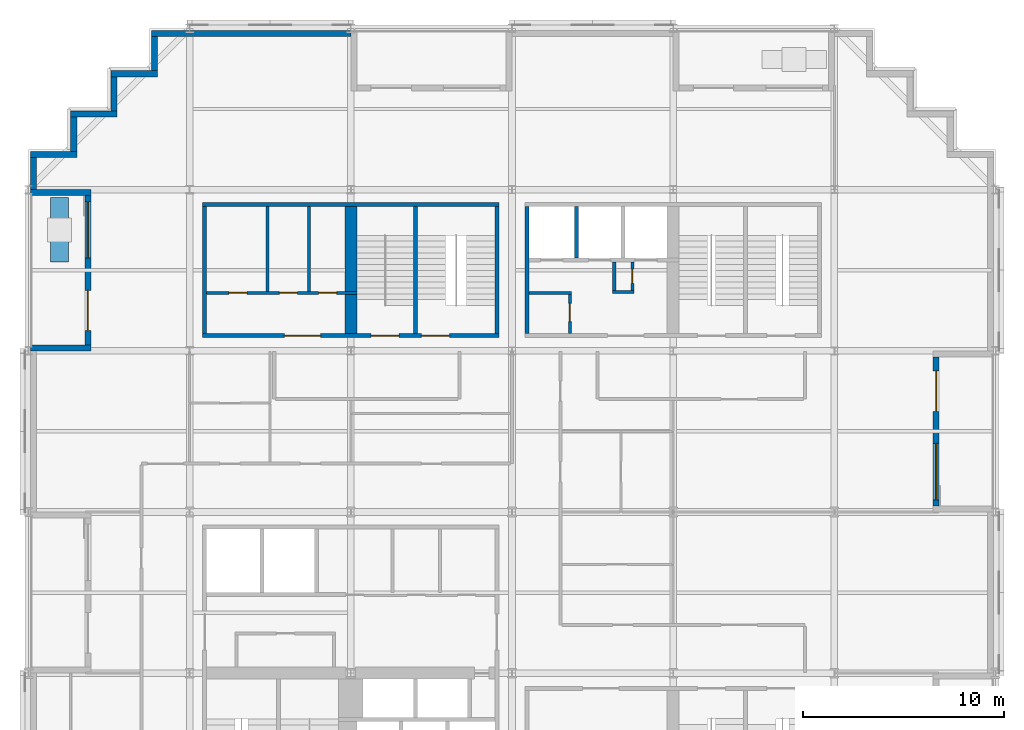
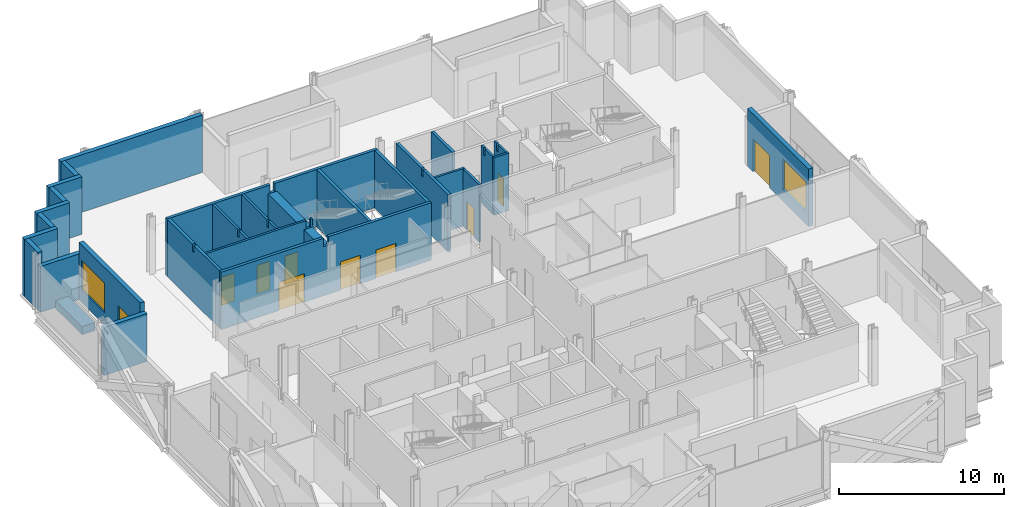
# One storey, part 8 of 13: 30 walls, 10 doors, 2 windows, 12 openings.
"""IFC4 building model written with IfcOpenShell, lengths in metres."""

from ifc_helpers import new_model, si_unit, direction, frame, frame_2d, origin, place, context, subcontext, project, spatial, polyline, rectangle, outline, extrude, material, layer, layer_set, type_object, element, fill, save


model = new_model("IFC4")

# Units and contexts
model_context = context("Model", 3, precision=1e-05, world=origin(), true_north=direction((0.0, 1.0)))
body_context = subcontext(model_context, "Body", "Model", "MODEL_VIEW")
ifc_project = project(units=[si_unit("LENGTHUNIT", "METRE"), si_unit("AREAUNIT", "SQUARE_METRE"), si_unit("VOLUMEUNIT", "CUBIC_METRE"), si_unit("PLANEANGLEUNIT", "RADIAN"), si_unit("MASSUNIT", "GRAM", prefix="KILO")], contexts=[model_context])

# Site, building, storey
site_placement = place(None, origin())
site = spatial("IfcSite", under=ifc_project, at=site_placement, CompositionType="ELEMENT")
building_placement = place(site_placement, origin())
building = spatial("IfcBuilding", under=site, at=building_placement, Name="Immortelle Media Tower", CompositionType="ELEMENT")
storey_placement = place(building_placement, frame((0.0, 0.0, 34.800048828125)))
storey = spatial("IfcBuildingStorey", under=building, at=storey_placement, Name="L04", CompositionType="ELEMENT", Elevation=34.800048828125)

# Wall, openings, doors
ifc_material_1 = material(Name="Fire-rated gypsum board", Category="gypsum")
ifc_layer_1 = layer(ifc_material_1, 0.02490234375)
ifc_material_2 = material(Name="Steel ASTM A653 SS Gr 50 stud frame with mineral wool", Category="steel")
ifc_layer_2 = layer(ifc_material_2, 0.10009765625)
ifc_layer_3 = layer(ifc_material_1, 0.02490234375)
ifc_layer_set_1 = layer_set([ifc_layer_1, ifc_layer_2, ifc_layer_3], Name="Steel ASTM A653 SS Gr 50 stud frame with mineral wool")
wall_type_1 = type_object("IfcWallType", Name="Core partition 150", PredefinedType="PARTITIONING", material=ifc_layer_set_1)
wall_1_placement = place(storey_placement, frame((8.85009765625, 34.875, 0.0), z_axis=(0.0, 0.0, 1.0), x_axis=(1.0, 0.0, 0.0)))
wall_1 = element("IfcWall", 1, at=wall_1_placement, inside=storey, type_object=wall_type_1, Name="Core partition NW", PredefinedType="PARTITIONING", context=body_context, shape_type="SweptSolid", body=[
    extrude(outline(polyline([(0.0, 0.0), (7.449951171875, 0.0), (7.449951171875, 4.25), (7.31689453125, 4.25), (7.31591796875, 3.6318359375), (6.98388671875, 3.6318359375), (6.98291015625, 4.25), (0.0, 4.25), (0.0, 0.0)])), frame((0.0, 0.074951171875, 0.0), z_axis=(0.0, -1.0, 0.0), x_axis=(1.0, 0.0, 0.0)), (0.0, 0.0, 1.0), 0.14990234375),
])
opening_1_placement = place(wall_1_placement, frame((1.10009765625, 0.0, 0.0)))
opening_1 = element("IfcOpeningElement", 2, at=opening_1_placement, cuts=wall_1, Name="Opening N1-K021", PredefinedType="OPENING", context=body_context, shape_type="SweptSolid", body=[
    extrude(rectangle(XDim=0.89990234375, YDim=2.10009765625, at=frame_2d((0.449951171875, 1.050048828125))), frame((0.0, 0.0849609375, 0.0), z_axis=(0.0, -1.0, 0.0), x_axis=(1.0, 0.0, 0.0)), (0.0, 0.0, 1.0), 0.169921875),
])
opening_2_placement = place(wall_1_placement, frame((3.60009765625, 0.0, 0.0)))
opening_2 = element("IfcOpeningElement", 3, at=opening_2_placement, cuts=wall_1, Name="Opening N1-K022", PredefinedType="OPENING", context=body_context, shape_type="SweptSolid", body=[
    extrude(rectangle(XDim=0.89990234375, YDim=2.10009765625, at=frame_2d((0.449951171875, 1.050048828125))), frame((0.0, 0.0849609375, 0.0), z_axis=(0.0, -1.0, 0.0), x_axis=(1.0, 0.0, 0.0)), (0.0, 0.0, 1.0), 0.169921875),
])
opening_3_placement = place(wall_1_placement, frame((5.550048828125, 0.0, 0.0)))
opening_3 = element("IfcOpeningElement", 4, at=opening_3_placement, cuts=wall_1, Name="Opening N1-K024", PredefinedType="OPENING", context=body_context, shape_type="SweptSolid", body=[
    extrude(rectangle(XDim=0.89990234375, YDim=2.10009765625, at=frame_2d((0.449951171875, 1.050048828125))), frame((0.0, 0.0849609375, 0.0), z_axis=(0.0, -1.0, 0.0), x_axis=(1.0, 0.0, 0.0)), (0.0, 0.0, 1.0), 0.169921875),
])
ifc_material_3 = material(Name="Timber", Category="wood")
door_type_1 = type_object("IfcDoorType", Name="Room door 900 x 2100", OperationType="NOTDEFINED", PredefinedType="NOTDEFINED", material=ifc_material_3)
door_1_placement = place(opening_1_placement, origin())
door_1 = element("IfcDoor", 5, at=door_1_placement, inside=storey, type_object=door_type_1, Name="Room N1-K021", OperationType="SINGLE_SWING_RIGHT", OverallHeight=2.10009765625, OverallWidth=0.89990234375, PredefinedType="NOTDEFINED", context=body_context, shape_type="SweptSolid", body=[
    extrude(rectangle(XDim=0.89990234375, YDim=2.10009765625, at=frame_2d((0.449951171875, 1.050048828125))), frame((0.0, 0.02490234375, 0.0), z_axis=(0.0, -1.0, 0.0), x_axis=(1.0, 0.0, 0.0)), (0.0, 0.0, 1.0), 0.050048828125),
])
fill(opening_1, door_1)
door_2_placement = place(opening_2_placement, origin())
door_2 = element("IfcDoor", 6, at=door_2_placement, inside=storey, type_object=door_type_1, Name="Room N1-K022", OperationType="SINGLE_SWING_RIGHT", OverallHeight=2.10009765625, OverallWidth=0.89990234375, PredefinedType="NOTDEFINED", context=body_context, shape_type="SweptSolid", body=[
    extrude(rectangle(XDim=0.89990234375, YDim=2.10009765625, at=frame_2d((0.449951171875, 1.050048828125))), frame((0.0, 0.02490234375, 0.0), z_axis=(0.0, -1.0, 0.0), x_axis=(1.0, 0.0, 0.0)), (0.0, 0.0, 1.0), 0.050048828125),
])
fill(opening_2, door_2)
ifc_material_4 = material(Name="Galvanised steel door leaf and frame ASTM A653", Category="steel")
door_type_2 = type_object("IfcDoorType", Name="Service door 900 x 2100", OperationType="NOTDEFINED", PredefinedType="NOTDEFINED", material=ifc_material_4)
door_3_placement = place(opening_3_placement, origin())
door_3 = element("IfcDoor", 7, at=door_3_placement, inside=storey, type_object=door_type_2, Name="Service N1-K024", OperationType="SINGLE_SWING_LEFT", OverallHeight=2.10009765625, OverallWidth=0.89990234375, PredefinedType="NOTDEFINED", context=body_context, shape_type="SweptSolid", body=[
    extrude(rectangle(XDim=0.89990234375, YDim=2.10009765625, at=frame_2d((0.449951171875, 1.050048828125))), frame((0.0, 0.02490234375, 0.0), z_axis=(0.0, -1.0, 0.0), x_axis=(1.0, 0.0, 0.0)), (0.0, 0.0, 1.0), 0.050048828125),
])
fill(opening_3, door_3)

# Walls
for number, where, z_axis, x_axis, name in (
    (8, (11.875, 34.949951171875, 0.0), (0.0, 0.0, 1.0), (0.0, 1.0, 0.0), "Core partition NW"),
    (9, (13.925048828125, 34.949951171875, 0.0), (0.0, 0.0, 1.0), (0.0, 1.0, 0.0), "Core partition NW"),
):
    element("IfcWall", number, at=place(storey_placement, frame(where, z_axis=z_axis, x_axis=x_axis)), inside=storey, type_object=wall_type_1, Name=name, PredefinedType="PARTITIONING", context=body_context, shape_type="SweptSolid", body=[
        extrude(outline(polyline([(0.0, 0.0), (4.199951171875, 0.0), (4.199951171875, 4.25), (1.138427734375, 4.25), (1.137451171875, 3.7080078125), (0.96240234375, 3.7080078125), (0.96142578125, 4.25), (0.0, 4.25), (0.0, 0.0)])), frame((0.0, 0.074951171875, 0.0), z_axis=(0.0, -1.0, 0.0), x_axis=(1.0, 0.0, 0.0)), (0.0, 0.0, 1.0), 0.14990234375),
    ])
wall_2_placement = place(storey_placement, frame((24.85009765625, 34.875, 0.0), z_axis=(0.0, 0.0, 1.0), x_axis=(1.0, 0.0, 0.0)))
element("IfcWall", 10, at=wall_2_placement, inside=storey, type_object=wall_type_1, Name="Core partition NE", PredefinedType="PARTITIONING", context=body_context, shape_type="SweptSolid", body=[
    extrude(rectangle(XDim=2.099853515625, YDim=0.14990234375, at=frame_2d((1.0498046875, 0.0))), origin(), (0.0, 0.0, 1.0), 4.25),
])

# Wall, opening, door
wall_3_placement = place(storey_placement, frame((26.875, 32.85009765625, 0.0), z_axis=(0.0, 0.0, 1.0), x_axis=(0.0, 1.0, 0.0)))
wall_3 = element("IfcWall", 11, at=wall_3_placement, inside=storey, type_object=wall_type_1, Name="Core partition NE", PredefinedType="PARTITIONING", context=body_context, shape_type="SweptSolid", body=[
    extrude(rectangle(XDim=1.949951171875, YDim=0.14990234375, at=frame_2d((0.97509765625, 0.0))), origin(), (0.0, 0.0, 1.0), 4.25),
])
opening_4_placement = place(wall_3_placement, frame((0.60009765625, 0.0, 0.0)))
opening_4 = element("IfcOpeningElement", 12, at=opening_4_placement, cuts=wall_3, Name="Opening N1-K028", PredefinedType="OPENING", context=body_context, shape_type="SweptSolid", body=[
    extrude(rectangle(XDim=0.89990234375, YDim=2.10009765625, at=frame_2d((0.449951171875, 1.050048828125))), frame((0.0, 0.0849609375, 0.0), z_axis=(0.0, -1.0, 0.0), x_axis=(1.0, 0.0, 0.0)), (0.0, 0.0, 1.0), 0.169921875),
])
door_4_placement = place(opening_4_placement, origin())
door_4 = element("IfcDoor", 13, at=door_4_placement, inside=storey, type_object=door_type_2, Name="Service N1-K028", OperationType="SINGLE_SWING_LEFT", OverallHeight=2.10009765625, OverallWidth=0.89990234375, PredefinedType="NOTDEFINED", context=body_context, shape_type="SweptSolid", body=[
    extrude(rectangle(XDim=0.89990234375, YDim=2.10009765625, at=frame_2d((0.449951171875, 1.050048828125))), frame((0.0, 0.02490234375, 0.0), z_axis=(0.0, -1.0, 0.0), x_axis=(1.0, 0.0, 0.0)), (0.0, 0.0, 1.0), 0.050048828125),
])
fill(opening_4, door_4)

# Walls
wall_4_placement = place(storey_placement, frame((29.0, 34.925048828125, 0.0), z_axis=(0.0, 0.0, 1.0), x_axis=(1.0, 0.0, 0.0)))
element("IfcWall", 14, at=wall_4_placement, inside=storey, type_object=wall_type_1, Name="Core partition NE", PredefinedType="PARTITIONING", context=body_context, shape_type="SweptSolid", body=[
    extrude(rectangle(XDim=1.050048828125, YDim=0.14990234375, at=frame_2d((0.52490234375, 0.0))), origin(), (0.0, 0.0, 1.0), 4.25),
])
wall_5_placement = place(storey_placement, frame((29.074951171875, 35.0, 0.0), z_axis=(0.0, 0.0, 1.0), x_axis=(0.0, 1.0, 0.0)))
element("IfcWall", 15, at=wall_5_placement, inside=storey, type_object=wall_type_1, Name="Core partition NE", PredefinedType="PARTITIONING", context=body_context, shape_type="SweptSolid", body=[
    extrude(outline(polyline([(0.0, 0.0), (1.39990234375, 0.0), (1.39990234375, 4.25), (1.08837890625, 4.25), (1.08740234375, 3.7080078125), (0.91259765625, 3.7080078125), (0.91162109375, 4.25), (0.0, 4.25), (0.0, 0.0)])), frame((0.0, 0.074951171875, 0.0), z_axis=(0.0, -1.0, 0.0), x_axis=(1.0, 0.0, 0.0)), (0.0, 0.0, 1.0), 0.14990234375),
])

# Wall, opening, door
wall_6_placement = place(storey_placement, frame((29.97509765625, 35.0, 0.0), z_axis=(0.0, 0.0, 1.0), x_axis=(0.0, 1.0, 0.0)))
wall_6 = element("IfcWall", 16, at=wall_6_placement, inside=storey, type_object=wall_type_1, Name="Core partition NE", PredefinedType="PARTITIONING", context=body_context, shape_type="SweptSolid", body=[
    extrude(outline(polyline([(0.0, 0.0), (1.39990234375, 0.0), (1.39990234375, 4.25), (1.08837890625, 4.25), (1.08740234375, 3.7080078125), (0.91259765625, 3.7080078125), (0.91162109375, 4.25), (0.0, 4.25), (0.0, 0.0)])), frame((0.0, 0.074951171875, 0.0), z_axis=(0.0, -1.0, 0.0), x_axis=(1.0, 0.0, 0.0)), (0.0, 0.0, 1.0), 0.14990234375),
])
opening_5_placement = place(wall_6_placement, frame((0.35009765625, 0.0, 0.0)))
opening_5 = element("IfcOpeningElement", 17, at=opening_5_placement, cuts=wall_6, Name="Opening N1-K031", PredefinedType="OPENING", context=body_context, shape_type="SweptSolid", body=[
    extrude(rectangle(XDim=0.699951171875, YDim=2.10009765625, at=frame_2d((0.35009765625, 1.050048828125))), frame((0.0, 0.0849609375, 0.0), z_axis=(0.0, -1.0, 0.0), x_axis=(1.0, 0.0, 0.0)), (0.0, 0.0, 1.0), 0.169921875),
])
door_type_3 = type_object("IfcDoorType", Name="Service door 700 x 2100", OperationType="NOTDEFINED", PredefinedType="NOTDEFINED", material=ifc_material_4)
door_5_placement = place(opening_5_placement, origin())
door_5 = element("IfcDoor", 18, at=door_5_placement, inside=storey, type_object=door_type_3, Name="Service N1-K031", OperationType="SINGLE_SWING_LEFT", OverallHeight=2.10009765625, OverallWidth=0.699951171875, PredefinedType="NOTDEFINED", context=body_context, shape_type="SweptSolid", body=[
    extrude(rectangle(XDim=0.699951171875, YDim=2.10009765625, at=frame_2d((0.35009765625, 1.050048828125))), frame((0.0, 0.02490234375, 0.0), z_axis=(0.0, -1.0, 0.0), x_axis=(1.0, 0.0, 0.0)), (0.0, 0.0, 1.0), 0.050048828125),
])
fill(opening_5, door_5)

# Walls
ifc_layer_4 = layer(ifc_material_1, 0.03759765625)
ifc_layer_5 = layer(ifc_material_2, 0.125)
ifc_layer_6 = layer(ifc_material_1, 0.03759765625)
ifc_layer_set_2 = layer_set([ifc_layer_4, ifc_layer_5, ifc_layer_6], Name="Steel ASTM A653 SS Gr 50 stud frame with mineral wool")
wall_type_2 = type_object("IfcWallType", Name="Core shaft wall 200", PredefinedType="PARTITIONING", material=ifc_layer_set_2)
for number, where, z_axis, x_axis, name in (
    (19, (8.75, 32.85009765625, 0.0), (0.0, 0.0, 1.0), (0.0, 1.0, 0.0), "Core shaft wall NW"),
    (20, (24.75, 32.85009765625, 0.0), (0.0, 0.0, 1.0), (0.0, 1.0, 0.0), "Core shaft wall NE"),
):
    element("IfcWall", number, at=place(storey_placement, frame(where, z_axis=z_axis, x_axis=x_axis)), inside=storey, type_object=wall_type_2, Name=name, PredefinedType="PARTITIONING", context=body_context, shape_type="SweptSolid", body=[
        extrude(outline(polyline([(0.0, 0.0), (6.2998046875, 0.0), (6.300048828125, 4.25), (3.238525390625, 4.25), (3.237548828125, 3.7080078125), (3.0625, 3.7080078125), (3.0615234375, 4.25), (0.0, 4.25), (0.0, 0.0)])), frame((0.0, 0.10009765625, 0.0), z_axis=(0.0, -1.0, 0.0), x_axis=(1.0, 0.0, 0.0)), (0.0, 0.0, 1.0), 0.199951171875),
    ])
wall_7_placement = place(storey_placement, frame((27.199951171875, 36.60009765625, 0.0), z_axis=(0.0, 0.0, 1.0), x_axis=(0.0, 1.0, 0.0)))
element("IfcWall", 21, at=wall_7_placement, inside=storey, type_object=wall_type_2, Name="Core shaft wall NE", PredefinedType="PARTITIONING", context=body_context, shape_type="SweptSolid", body=[
    extrude(rectangle(XDim=2.5498046875, YDim=0.199951171875, at=frame_2d((1.27490234375, 0.0))), origin(), (0.0, 0.0, 1.0), 4.25),
])
ifc_material_5 = material(Name="Pale aluminium cladding panel", Category="aluminium")
ifc_layer_7 = layer(ifc_material_5, 0.030029296875)
ifc_layer_8 = layer(ifc_material_2, 0.257568359375)
ifc_material_6 = material(Name="Moisture-resistant gypsum board", Category="gypsum")
ifc_layer_9 = layer(ifc_material_6, 0.012451171875)
ifc_layer_set_3 = layer_set([ifc_layer_7, ifc_layer_8, ifc_layer_9], Name="Steel ASTM A653 SS Gr 50 stud frame with mineral wool")
wall_type_3 = type_object("IfcWallType", Name="Facade wall 300", PredefinedType="SOLIDWALL", material=ifc_layer_set_3)
wall_8_placement = place(storey_placement, frame((0.25, 41.60009765625, 0.0), z_axis=(0.0, 0.0, 1.0), x_axis=(0.0, -1.0, 0.0)))
element("IfcWall", 22, at=wall_8_placement, inside=storey, type_object=wall_type_3, Name="Facade wall L04 W0", PredefinedType="SOLIDWALL", context=body_context, shape_type="SweptSolid", body=[
    extrude(rectangle(XDim=1.60009765625, YDim=0.300048828125, at=frame_2d((0.800048828125, 0.0))), origin(), (0.0, 0.0, 1.0), 4.25),
])

# Wall, openings, door, window
wall_9_placement = place(storey_placement, frame((2.949951171875, 39.699951171875, 0.0), z_axis=(0.0, 0.0, 1.0), x_axis=(0.0, -1.0, 0.0)))
wall_9 = element("IfcWall", 23, at=wall_9_placement, inside=storey, type_object=wall_type_3, Name="Loggia wall L04 W0", PredefinedType="SOLIDWALL", context=body_context, shape_type="SweptSolid", body=[
    extrude(rectangle(XDim=7.39990234375, YDim=0.300048828125, at=frame_2d((3.699951171875, 0.0))), origin(), (0.0, 0.0, 1.0), 4.25),
])
opening_6_placement = place(wall_9_placement, frame((0.300048828125, 0.0, 0.89990234375)))
opening_6 = element("IfcOpeningElement", 24, at=opening_6_placement, cuts=wall_9, Name="Opening W1", PredefinedType="OPENING", context=body_context, shape_type="SweptSolid", body=[
    extrude(rectangle(XDim=2.800048828125, YDim=2.199951171875, at=frame_2d((1.39990234375, 1.10009765625))), frame((0.0, 0.159912109375, 0.0), z_axis=(0.0, -1.0, 0.0), x_axis=(1.0, 0.0, 0.0)), (0.0, 0.0, 1.0), 0.320068359375),
])
opening_7_placement = place(wall_9_placement, frame((4.699951171875, 0.0, 0.0)))
opening_7 = element("IfcOpeningElement", 25, at=opening_7_placement, cuts=wall_9, Name="Opening N1-E001", PredefinedType="OPENING", context=body_context, shape_type="SweptSolid", body=[
    extrude(rectangle(XDim=2.0, YDim=2.39990234375, at=frame_2d((1.0, 1.199951171875))), frame((0.0, 0.159912109375, 0.0), z_axis=(0.0, -1.0, 0.0), x_axis=(1.0, 0.0, 0.0)), (0.0, 0.0, 1.0), 0.320068359375),
])
ifc_material_7 = material(Name="Aluminium frame, glazed leaves", Category="aluminium")
door_type_4 = type_object("IfcDoorType", Name="Loggia door 2000 x 2400", OperationType="DOUBLE_DOOR_SINGLE_SWING", PredefinedType="DOOR", material=ifc_material_7)
door_6_placement = place(opening_7_placement, origin())
door_6 = element("IfcDoor", 26, at=door_6_placement, inside=storey, type_object=door_type_4, Name="Door N1-E001", OperationType="DOUBLE_DOOR_SINGLE_SWING", OverallHeight=2.39990234375, OverallWidth=2.0, PredefinedType="DOOR", context=body_context, shape_type="SweptSolid", body=[
    extrude(rectangle(XDim=2.0, YDim=2.39990234375, at=frame_2d((1.0, 1.199951171875))), frame((0.0, 0.02490234375, 0.0), z_axis=(0.0, -1.0, 0.0), x_axis=(1.0, 0.0, 0.0)), (0.0, 0.0, 1.0), 0.050048828125),
])
fill(opening_7, door_6)
ifc_material_8 = material(Name="Aluminium frame", Category="aluminium")
window_type = type_object("IfcWindowType", Name="Window 2800 x 2200", PartitioningType="SINGLE_PANEL", PredefinedType="WINDOW", material=ifc_material_8)
window_1_placement = place(opening_6_placement, origin())
window_1 = element("IfcWindow", 27, at=window_1_placement, inside=storey, type_object=window_type, Name="Window L04 L04-R0-B0", OverallHeight=2.199951171875, OverallWidth=2.800048828125, PartitioningType="SINGLE_PANEL", PredefinedType="WINDOW", context=body_context, shape_type="SweptSolid", body=[
    extrude(rectangle(XDim=2.800048828125, YDim=2.199951171875, at=frame_2d((1.39990234375, 1.10009765625))), frame((0.0, 0.030029296875, 0.0), z_axis=(0.0, -1.0, 0.0), x_axis=(1.0, 0.0, 0.0)), (0.0, 0.0, 1.0), 0.06005859375),
])
fill(opening_6, window_1)

# Walls
wall_10_placement = place(storey_placement, frame((0.10009765625, 39.85009765625, 0.0), z_axis=(0.0, 0.0, 1.0), x_axis=(1.0, 0.0, 0.0)))
element("IfcWall", 28, at=wall_10_placement, inside=storey, type_object=wall_type_3, Name="Loggia cheek wall L04 W", PredefinedType="SOLIDWALL", context=body_context, shape_type="SweptSolid", body=[
    extrude(rectangle(XDim=3.0, YDim=0.300048828125, at=frame_2d((1.5, 0.0))), origin(), (0.0, 0.0, 1.0), 3.389892578125),
])
wall_11_placement = place(storey_placement, frame((0.10009765625, 32.14990234375, 0.0), z_axis=(0.0, 0.0, 1.0), x_axis=(1.0, 0.0, 0.0)))
element("IfcWall", 29, at=wall_11_placement, inside=storey, type_object=wall_type_3, Name="Loggia cheek wall L04 W", PredefinedType="SOLIDWALL", context=body_context, shape_type="SweptSolid", body=[
    extrude(rectangle(XDim=3.0, YDim=0.300048828125, at=frame_2d((1.5, 0.0))), origin(), (0.0, 0.0, 1.0), 3.552978515625),
])

# Wall, openings, door, window
wall_12_placement = place(storey_placement, frame((45.050048828125, 24.300048828125, 0.0), z_axis=(0.0, 0.0, 1.0), x_axis=(0.0, 1.0, 0.0)))
wall_12 = element("IfcWall", 30, at=wall_12_placement, inside=storey, type_object=wall_type_3, Name="Loggia wall L04 E14", PredefinedType="SOLIDWALL", context=body_context, shape_type="SweptSolid", body=[
    extrude(rectangle(XDim=7.39990234375, YDim=0.300048828125, at=frame_2d((3.699951171875, 0.0))), origin(), (0.0, 0.0, 1.0), 4.25),
])
opening_8_placement = place(wall_12_placement, frame((0.300048828125, 0.0, 0.89990234375)))
opening_8 = element("IfcOpeningElement", 31, at=opening_8_placement, cuts=wall_12, Name="Opening W1", PredefinedType="OPENING", context=body_context, shape_type="SweptSolid", body=[
    extrude(rectangle(XDim=2.800048828125, YDim=2.199951171875, at=frame_2d((1.39990234375, 1.10009765625))), frame((0.0, 0.159912109375, 0.0), z_axis=(0.0, -1.0, 0.0), x_axis=(1.0, 0.0, 0.0)), (0.0, 0.0, 1.0), 0.320068359375),
])
opening_9_placement = place(wall_12_placement, frame((4.699951171875, 0.0, 0.0)))
opening_9 = element("IfcOpeningElement", 32, at=opening_9_placement, cuts=wall_12, Name="Opening N1-E006", PredefinedType="OPENING", context=body_context, shape_type="SweptSolid", body=[
    extrude(rectangle(XDim=2.0, YDim=2.39990234375, at=frame_2d((1.0, 1.199951171875))), frame((0.0, 0.159912109375, 0.0), z_axis=(0.0, -1.0, 0.0), x_axis=(1.0, 0.0, 0.0)), (0.0, 0.0, 1.0), 0.320068359375),
])
door_7_placement = place(opening_9_placement, origin())
door_7 = element("IfcDoor", 33, at=door_7_placement, inside=storey, type_object=door_type_4, Name="Door N1-E006", OperationType="DOUBLE_DOOR_SINGLE_SWING", OverallHeight=2.39990234375, OverallWidth=2.0, PredefinedType="DOOR", context=body_context, shape_type="SweptSolid", body=[
    extrude(rectangle(XDim=2.0, YDim=2.39990234375, at=frame_2d((1.0, 1.199951171875))), frame((0.0, 0.02490234375, 0.0), z_axis=(0.0, -1.0, 0.0), x_axis=(1.0, 0.0, 0.0)), (0.0, 0.0, 1.0), 0.050048828125),
])
fill(opening_9, door_7)
window_2_placement = place(opening_8_placement, origin())
window_2 = element("IfcWindow", 34, at=window_2_placement, inside=storey, type_object=window_type, Name="Window L04 L04-R14-B2", OverallHeight=2.199951171875, OverallWidth=2.800048828125, PartitioningType="SINGLE_PANEL", PredefinedType="WINDOW", context=body_context, shape_type="SweptSolid", body=[
    extrude(rectangle(XDim=2.800048828125, YDim=2.199951171875, at=frame_2d((1.39990234375, 1.10009765625))), frame((0.0, 0.030029296875, 0.0), z_axis=(0.0, -1.0, 0.0), x_axis=(1.0, 0.0, 0.0)), (0.0, 0.0, 1.0), 0.06005859375),
])
fill(opening_8, window_2)

# Walls
wall_13_placement = place(storey_placement, frame((16.0, 47.75, 0.0), z_axis=(0.0, 0.0, 1.0), x_axis=(-1.0, 0.0, 0.0)))
element("IfcWall", 35, at=wall_13_placement, inside=storey, type_object=wall_type_3, Name="Facade wall L04 N21", PredefinedType="SOLIDWALL", context=body_context, shape_type="SweptSolid", body=[
    extrude(rectangle(XDim=9.89990234375, YDim=0.300048828125, at=frame_2d((4.949951171875, 0.0))), origin(), (0.0, 0.0, 1.0), 4.25),
])
wall_14_placement = place(storey_placement, frame((6.25, 47.60009765625, 0.0), z_axis=(0.0, 0.0, 1.0), x_axis=(0.0, -1.0, 0.0)))
element("IfcWall", 36, at=wall_14_placement, inside=storey, type_object=wall_type_3, Name="Facade wall L04 W22", PredefinedType="SOLIDWALL", context=body_context, shape_type="SweptSolid", body=[
    extrude(rectangle(XDim=1.7001953125, YDim=0.300048828125, at=frame_2d((0.85009765625, 0.0))), origin(), (0.0, 0.0, 1.0), 4.25),
])
wall_15_placement = place(storey_placement, frame((6.39990234375, 45.75, 0.0), z_axis=(0.0, 0.0, 1.0), x_axis=(-1.0, 0.0, 0.0)))
element("IfcWall", 37, at=wall_15_placement, inside=storey, type_object=wall_type_3, Name="Facade wall L04 N23", PredefinedType="SOLIDWALL", context=body_context, shape_type="SweptSolid", body=[
    extrude(rectangle(XDim=2.2998046875, YDim=0.300048828125, at=frame_2d((1.14990234375, 0.0))), origin(), (0.0, 0.0, 1.0), 4.25),
])
wall_16_placement = place(storey_placement, frame((4.25, 45.60009765625, 0.0), z_axis=(0.0, 0.0, 1.0), x_axis=(0.0, -1.0, 0.0)))
element("IfcWall", 38, at=wall_16_placement, inside=storey, type_object=wall_type_3, Name="Facade wall L04 W24", PredefinedType="SOLIDWALL", context=body_context, shape_type="SweptSolid", body=[
    extrude(rectangle(XDim=1.7001953125, YDim=0.300048828125, at=frame_2d((0.85009765625, 0.0))), origin(), (0.0, 0.0, 1.0), 4.25),
])
wall_17_placement = place(storey_placement, frame((4.39990234375, 43.75, 0.0), z_axis=(0.0, 0.0, 1.0), x_axis=(-1.0, 0.0, 0.0)))
element("IfcWall", 39, at=wall_17_placement, inside=storey, type_object=wall_type_3, Name="Facade wall L04 N25", PredefinedType="SOLIDWALL", context=body_context, shape_type="SweptSolid", body=[
    extrude(rectangle(XDim=2.2998046875, YDim=0.300048828125, at=frame_2d((1.14990234375, 0.0))), origin(), (0.0, 0.0, 1.0), 4.25),
])
wall_18_placement = place(storey_placement, frame((2.25, 43.60009765625, 0.0), z_axis=(0.0, 0.0, 1.0), x_axis=(0.0, -1.0, 0.0)))
element("IfcWall", 40, at=wall_18_placement, inside=storey, type_object=wall_type_3, Name="Facade wall L04 W26", PredefinedType="SOLIDWALL", context=body_context, shape_type="SweptSolid", body=[
    extrude(rectangle(XDim=1.7001953125, YDim=0.300048828125, at=frame_2d((0.85009765625, 0.0))), origin(), (0.0, 0.0, 1.0), 4.25),
])
wall_19_placement = place(storey_placement, frame((2.39990234375, 41.75, 0.0), z_axis=(0.0, 0.0, 1.0), x_axis=(-1.0, 0.0, 0.0)))
element("IfcWall", 41, at=wall_19_placement, inside=storey, type_object=wall_type_3, Name="Facade wall L04 N27", PredefinedType="SOLIDWALL", context=body_context, shape_type="SweptSolid", body=[
    extrude(rectangle(XDim=2.2998046875, YDim=0.300048828125, at=frame_2d((1.14990234375, 0.0))), origin(), (0.0, 0.0, 1.0), 4.25),
])
ifc_layer_10 = layer(ifc_material_5, 0.0029296875)
ifc_material_9 = material(Name="Steel ASTM A572 Gr 50 planter shell", Category="steel")
ifc_layer_11 = layer(ifc_material_9, 0.011962890625)
ifc_material_10 = material(Name="Planting substrate", Category="soil")
ifc_layer_12 = layer(ifc_material_10, 0.873046875)
ifc_layer_13 = layer(ifc_material_9, 0.011962890625)
ifc_layer_set_4 = layer_set([ifc_layer_10, ifc_layer_11, ifc_layer_12, ifc_layer_13], Name="Steel ASTM A572 Gr 50 planter shell")
wall_type_4 = type_object("IfcWallType", Name="Planter wall 900", PredefinedType="SOLIDWALL", material=ifc_layer_set_4)
wall_20_placement = place(storey_placement, frame((1.550048828125, 39.60009765625, 0.0), z_axis=(0.0, 0.0, 1.0), x_axis=(0.0, -1.0, 0.0)))
element("IfcWall", 42, at=wall_20_placement, inside=storey, type_object=wall_type_4, Name="Planter L04 W0", PredefinedType="SOLIDWALL", context=body_context, shape_type="SweptSolid", body=[
    extrude(rectangle(XDim=3.2001953125, YDim=0.89990234375, at=frame_2d((1.60009765625, 0.0))), origin(), (0.0, 0.0, 1.0), 0.599853515625),
])

# Wall, openings, doors
ifc_material_11 = material(Name="Concrete C60", Category="concrete")
ifc_layer_14 = layer(ifc_material_11, 0.199951171875)
ifc_layer_set_5 = layer_set([ifc_layer_14], Name="Concrete C60")
wall_type_5 = type_object("IfcWallType", Name="Stair shaft wall 200", PredefinedType="PARTITIONING", material=ifc_layer_set_5)
wall_21_placement = place(storey_placement, frame((8.64990234375, 32.75, 0.0), z_axis=(0.0, 0.0, 1.0), x_axis=(1.0, 0.0, 0.0)))
wall_21 = element("IfcWall", 43, at=wall_21_placement, inside=storey, type_object=wall_type_5, Name="Stair shaft wall NW", PredefinedType="PARTITIONING", context=body_context, shape_type="SweptSolid", body=[
    extrude(outline(polyline([(0.0, 0.0), (14.7001953125, 0.0), (14.699951171875, 4.25), (7.51708984375, 4.25), (7.51611328125, 3.6318359375), (7.18408203125, 3.6318359375), (7.18310546875, 4.25), (0.0, 4.25), (0.0, 0.0)])), frame((0.0, 0.10009765625, 0.0), z_axis=(0.0, -1.0, 0.0), x_axis=(1.0, 0.0, 0.0)), (0.0, 0.0, 1.0), 0.199951171875),
])
opening_10_placement = place(wall_21_placement, frame((4.050048828125, 0.0, 0.0)))
opening_10 = element("IfcOpeningElement", 44, at=opening_10_placement, cuts=wall_21, Name="Opening N1-K023", PredefinedType="OPENING", context=body_context, shape_type="SweptSolid", body=[
    extrude(rectangle(XDim=1.800048828125, YDim=2.10009765625, at=frame_2d((0.89990234375, 1.050048828125))), frame((0.0, 0.10986328125, 0.0), z_axis=(0.0, -1.0, 0.0), x_axis=(1.0, 0.0, 0.0)), (0.0, 0.0, 1.0), 0.219970703125),
])
opening_11_placement = place(wall_21_placement, frame((8.35009765625, 0.0, 0.0)))
opening_11 = element("IfcOpeningElement", 45, at=opening_11_placement, cuts=wall_21, Name="Opening N1-K025", PredefinedType="OPENING", context=body_context, shape_type="SweptSolid", body=[
    extrude(rectangle(XDim=1.39990234375, YDim=2.10009765625, at=frame_2d((0.699951171875, 1.050048828125))), frame((0.0, 0.10986328125, 0.0), z_axis=(0.0, -1.0, 0.0), x_axis=(1.0, 0.0, 0.0)), (0.0, 0.0, 1.0), 0.219970703125),
])
opening_12_placement = place(wall_21_placement, frame((10.85009765625, 0.0, 0.0)))
opening_12 = element("IfcOpeningElement", 46, at=opening_12_placement, cuts=wall_21, Name="Opening N1-K026", PredefinedType="OPENING", context=body_context, shape_type="SweptSolid", body=[
    extrude(rectangle(XDim=1.39990234375, YDim=2.10009765625, at=frame_2d((0.699951171875, 1.050048828125))), frame((0.0, 0.10986328125, 0.0), z_axis=(0.0, -1.0, 0.0), x_axis=(1.0, 0.0, 0.0)), (0.0, 0.0, 1.0), 0.219970703125),
])
door_type_5 = type_object("IfcDoorType", Name="Lift lobby door 1800 x 2100", OperationType="DOUBLE_DOOR_SINGLE_SWING", PredefinedType="NOTDEFINED", material=ifc_material_4)
door_8_placement = place(opening_10_placement, origin())
door_8 = element("IfcDoor", 47, at=door_8_placement, inside=storey, type_object=door_type_5, Name="Lift lobby N1-K023", OperationType="DOUBLE_DOOR_SINGLE_SWING", OverallHeight=2.10009765625, OverallWidth=1.800048828125, PredefinedType="NOTDEFINED", context=body_context, shape_type="SweptSolid", body=[
    extrude(rectangle(XDim=1.800048828125, YDim=2.10009765625, at=frame_2d((0.89990234375, 1.050048828125))), frame((0.0, 0.02490234375, 0.0), z_axis=(0.0, -1.0, 0.0), x_axis=(1.0, 0.0, 0.0)), (0.0, 0.0, 1.0), 0.050048828125),
])
fill(opening_10, door_8)
door_type_6 = type_object("IfcDoorType", Name="Stair door 1400 x 2100", OperationType="DOUBLE_DOOR_SINGLE_SWING", PredefinedType="NOTDEFINED", material=ifc_material_4)
door_9_placement = place(opening_11_placement, origin())
door_9 = element("IfcDoor", 48, at=door_9_placement, inside=storey, type_object=door_type_6, Name="Stair N1-K025", OperationType="DOUBLE_DOOR_SINGLE_SWING", OverallHeight=2.10009765625, OverallWidth=1.39990234375, PredefinedType="NOTDEFINED", context=body_context, shape_type="SweptSolid", body=[
    extrude(rectangle(XDim=1.39990234375, YDim=2.10009765625, at=frame_2d((0.699951171875, 1.050048828125))), frame((0.0, 0.02490234375, 0.0), z_axis=(0.0, -1.0, 0.0), x_axis=(1.0, 0.0, 0.0)), (0.0, 0.0, 1.0), 0.050048828125),
])
fill(opening_11, door_9)
door_10_placement = place(opening_12_placement, origin())
door_10 = element("IfcDoor", 49, at=door_10_placement, inside=storey, type_object=door_type_6, Name="Stair N1-K026", OperationType="DOUBLE_DOOR_SINGLE_SWING", OverallHeight=2.10009765625, OverallWidth=1.39990234375, PredefinedType="NOTDEFINED", context=body_context, shape_type="SweptSolid", body=[
    extrude(rectangle(XDim=1.39990234375, YDim=2.10009765625, at=frame_2d((0.699951171875, 1.050048828125))), frame((0.0, 0.02490234375, 0.0), z_axis=(0.0, -1.0, 0.0), x_axis=(1.0, 0.0, 0.0)), (0.0, 0.0, 1.0), 0.050048828125),
])
fill(opening_12, door_10)

# Walls
wall_22_placement = place(storey_placement, frame((8.64990234375, 39.25, 0.0), z_axis=(0.0, 0.0, 1.0), x_axis=(1.0, 0.0, 0.0)))
element("IfcWall", 50, at=wall_22_placement, inside=storey, type_object=wall_type_5, Name="Stair shaft wall NW", PredefinedType="PARTITIONING", context=body_context, shape_type="SweptSolid", body=[
    extrude(outline(polyline([(0.0, 0.0), (14.7001953125, 0.0), (14.699951171875, 4.25), (7.51708984375, 4.25), (7.51611328125, 3.6318359375), (7.18408203125, 3.6318359375), (7.18310546875, 4.25), (0.0, 4.25), (0.0, 0.0)])), frame((0.0, 0.10009765625, 0.0), z_axis=(0.0, -1.0, 0.0), x_axis=(1.0, 0.0, 0.0)), (0.0, 0.0, 1.0), 0.199951171875),
])
for number, where, z_axis, x_axis, name in (
    (51, (19.199951171875, 32.85009765625, 0.0), (0.0, 0.0, 1.0), (0.0, 1.0, 0.0), "Stair shaft wall NW"),
    (52, (23.25, 32.85009765625, 0.0), (0.0, 0.0, 1.0), (0.0, 1.0, 0.0), "Stair shaft wall NW"),
):
    element("IfcWall", number, at=place(storey_placement, frame(where, z_axis=z_axis, x_axis=x_axis)), inside=storey, type_object=wall_type_5, Name=name, PredefinedType="PARTITIONING", context=body_context, shape_type="SweptSolid", body=[
        extrude(rectangle(XDim=6.2998046875, YDim=0.199951171875, at=frame_2d((3.14990234375, 0.0))), origin(), (0.0, 0.0, 1.0), 4.25),
    ])
ifc_layer_15 = layer(ifc_material_11, 0.60009765625)
ifc_layer_set_6 = layer_set([ifc_layer_15], Name="Concrete C60")
wall_type_6 = type_object("IfcWallType", Name="Stair shaft wall 600", PredefinedType="PARTITIONING", material=ifc_layer_set_6)
wall_23_placement = place(storey_placement, frame((16.0, 32.85009765625, 0.0), z_axis=(0.0, 0.0, 1.0), x_axis=(0.0, 1.0, 0.0)))
element("IfcWall", 53, at=wall_23_placement, inside=storey, type_object=wall_type_6, Name="Stair shaft wall NW", PredefinedType="PARTITIONING", context=body_context, shape_type="SweptSolid", body=[
    extrude(rectangle(XDim=1.949951171875, YDim=0.60009765625, at=frame_2d((0.97509765625, 0.0))), origin(), (0.0, 0.0, 1.0), 3.6318359375),
])
wall_24_placement = place(storey_placement, frame((16.0, 34.949951171875, 0.0), z_axis=(0.0, 0.0, 1.0), x_axis=(0.0, 1.0, 0.0)))
element("IfcWall", 54, at=wall_24_placement, inside=storey, type_object=wall_type_6, Name="Stair shaft wall NW", PredefinedType="PARTITIONING", context=body_context, shape_type="SweptSolid", body=[
    extrude(rectangle(XDim=4.199951171875, YDim=0.60009765625, at=frame_2d((2.10009765625, 0.0))), origin(), (0.0, 0.0, 1.0), 3.6318359375),
])

save(model, "model.ifc")
